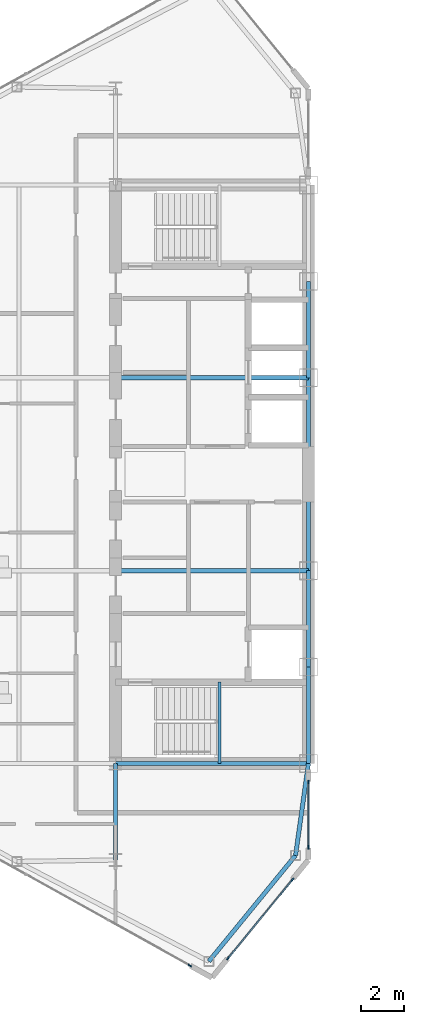
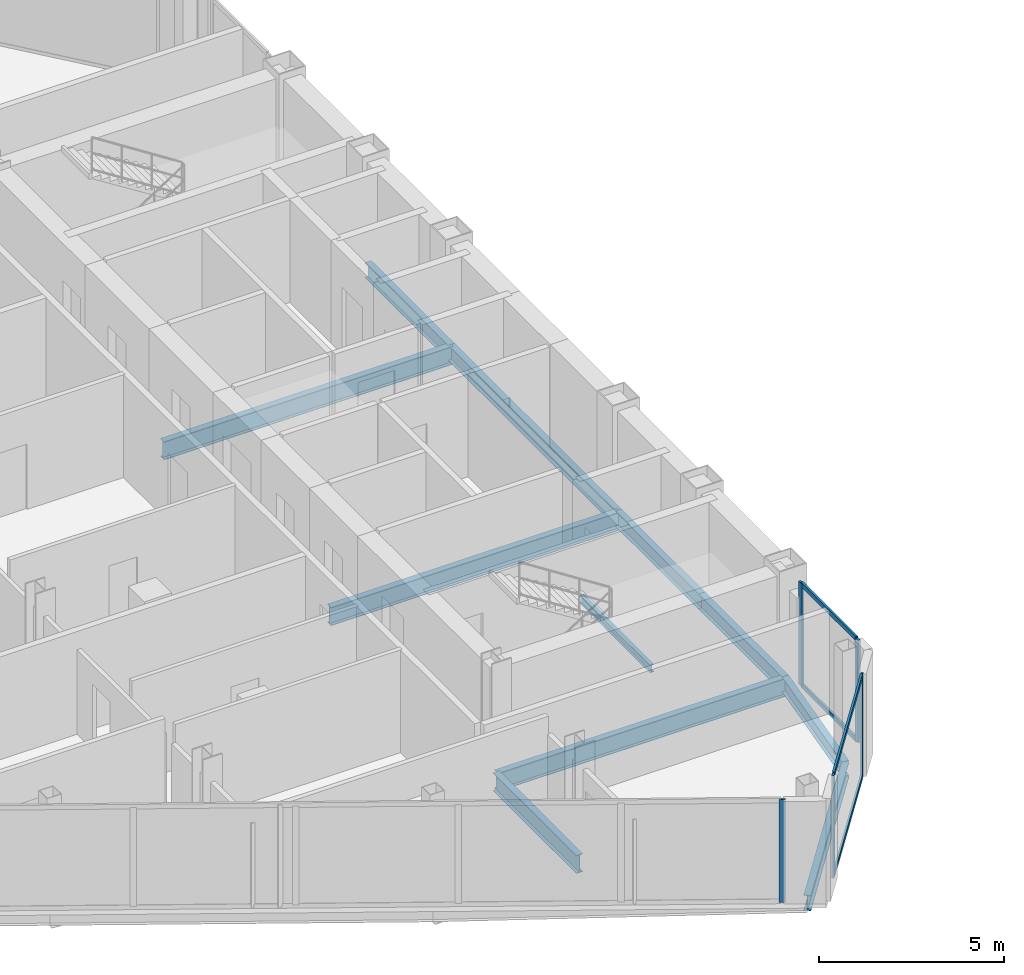
# One storey, part 7 of 26: 11 beams, 9 members, 3 elements without a shape of their own.
"""IFC4 building model written with IfcOpenShell, lengths in metres."""

from ifc_helpers import new_model, si_unit, direction, frame, origin, origin_2d, place, context, subcontext, project, spatial, rectangle, i_section, extrude, source, transform, mapped, material, layer, layer_set, material_profile, profile_set, type_object, type_shapes, element, aggregate, save


model = new_model("IFC4")

# Units and contexts
model_context = context("Model", 3, precision=1e-05, world=origin(), true_north=direction((0.0, 1.0)))
body_context = subcontext(model_context, "Body", "Model", "MODEL_VIEW")
ifc_project = project(units=[si_unit("LENGTHUNIT", "METRE"), si_unit("AREAUNIT", "SQUARE_METRE"), si_unit("VOLUMEUNIT", "CUBIC_METRE"), si_unit("PLANEANGLEUNIT", "RADIAN"), si_unit("MASSUNIT", "GRAM", prefix="KILO")], contexts=[model_context])

# Site, building, storey
site_placement = place(None, origin())
site = spatial("IfcSite", under=ifc_project, at=site_placement, CompositionType="ELEMENT")
building_placement = place(site_placement, origin())
building = spatial("IfcBuilding", under=site, at=building_placement, Name="Seokmaru Belvedere", CompositionType="ELEMENT")
storey_placement = place(building_placement, frame((0.0, 0.0, 181.5)))
storey = spatial("IfcBuildingStorey", under=building, at=storey_placement, Name="L48", CompositionType="ELEMENT", Elevation=181.5)

# Beams
ifc_material_1 = material(Name="Steel SM355 (355 MPa)", Category="steel")
ifc_material_profile_1 = material_profile(ifc_material_1, i_section(OverallWidth=0.199951171875, OverallDepth=0.5, WebThickness=0.010009765625, FlangeThickness=0.01611328125, at=origin_2d()), Name="H-500x200x10x16")
ifc_profile_set_1 = profile_set([ifc_material_profile_1], Name="Steel SM355 (355 MPa)")
beam_type_1 = type_object("IfcBeamType", Name="Perimeter Spandrel Beam H-500", PredefinedType="SPANDREL", material=ifc_profile_set_1)
shared_shape_1 = source(origin(), body_context, "Body", "SweptSolid", [
    extrude(i_section(OverallWidth=0.199951171875, OverallDepth=0.5, WebThickness=0.010009765625, FlangeThickness=0.01611328125, at=origin_2d()), origin(), (0.0, 0.0, 1.0), 4.5),
])
for number, where, z_axis, x_axis, name in (
    (1, (-27.5, -13.5, -0.469970703125), (0.0, 1.0, 0.0), (-1.0, 0.0, 0.0), "L48 W Portal Spine Spandrel 1"),
    (2, (-27.5, -9.0, -0.469970703125), (0.0, 1.0, 0.0), (-1.0, 0.0, 0.0), "L48 W Portal Spine Spandrel 2"),
    (3, (-27.5, 4.5, -0.469970703125), (0.0, 1.0, 0.0), (-1.0, 0.0, 0.0), "L48 W Portal Spine Spandrel 4"),
):
    element("IfcBeam", number, at=place(storey_placement, frame(where, z_axis=z_axis, x_axis=x_axis)), inside=storey, type_object=beam_type_1, Name=name, PredefinedType="SPANDREL", context=body_context, shape_type="MappedRepresentation", body=[
        mapped(shared_shape_1, transform((0.0, 0.0, 0.0), scale=1.0)),
    ])
shared_shape_2 = source(origin(), body_context, "Body", "SweptSolid", [
    extrude(i_section(OverallWidth=0.199951171875, OverallDepth=0.5, WebThickness=0.010009765625, FlangeThickness=0.01611328125, at=origin_2d()), origin(), (0.0, 0.0, 1.0), 9.0),
])
beam_1_placement = place(storey_placement, frame((-27.5, -4.5, -0.469970703125), z_axis=(0.0, 1.0, 0.0), x_axis=(-1.0, 0.0, 0.0)))
element("IfcBeam", 4, at=beam_1_placement, inside=storey, type_object=beam_type_1, Name="L48 W Portal Spine Spandrel 3", PredefinedType="SPANDREL", context=body_context, shape_type="MappedRepresentation", body=[
    mapped(shared_shape_2, transform((0.0, 0.0, 0.0), scale=1.0)),
])
ifc_material_profile_2 = material_profile(ifc_material_1, i_section(OverallWidth=0.199951171875, OverallDepth=0.60009765625, WebThickness=0.010986328125, FlangeThickness=0.01708984375, at=origin_2d()), Name="H-600x200x11x17")
ifc_profile_set_2 = profile_set([ifc_material_profile_2], Name="Steel SM355 (355 MPa)")
beam_type_2 = type_object("IfcBeamType", Name="Primary Floor Girder H-600", PredefinedType="BEAM", material=ifc_profile_set_2)
shared_shape_3 = source(origin(), body_context, "Body", "SweptSolid", [
    extrude(i_section(OverallWidth=0.199951171875, OverallDepth=0.60009765625, WebThickness=0.010986328125, FlangeThickness=0.01708984375, at=origin_2d()), origin(), (0.0, 0.0, 1.0), 9.0),
])
for number, where, z_axis, x_axis, name in (
    (5, (-36.5, -13.5, -0.52001953125), (1.0, 0.0, 0.0), (0.0, 1.0, 0.0), "L48 W Core Tie Girder 1"),
    (6, (-36.5, -4.5, -0.52001953125), (1.0, 0.0, 0.0), (0.0, 1.0, 0.0), "L48 W Core Tie Girder 2"),
    (7, (-36.5, 4.5, -0.52001953125), (1.0, 0.0, 0.0), (0.0, 1.0, 0.0), "L48 W Core Tie Girder 3"),
):
    element("IfcBeam", number, at=place(storey_placement, frame(where, z_axis=z_axis, x_axis=x_axis)), inside=storey, type_object=beam_type_2, Name=name, PredefinedType="BEAM", context=body_context, shape_type="MappedRepresentation", body=[
        mapped(shared_shape_3, transform((0.0, 0.0, 0.0), scale=1.0)),
    ])
shared_shape_4 = source(origin(), body_context, "Body", "SweptSolid", [
    extrude(i_section(OverallWidth=0.199951171875, OverallDepth=0.60009765625, WebThickness=0.010986328125, FlangeThickness=0.01708984375, at=origin_2d()), origin(), (0.0, 0.0, 1.0), 4.5),
])
type_shapes(beam_type_2, [shared_shape_3, shared_shape_4])
beam_2_placement = place(storey_placement, frame((-36.5, -18.0, -0.52001953125), z_axis=(0.0, 1.0, 0.0), x_axis=(-1.0, 0.0, 0.0)))
element("IfcBeam", 8, at=beam_2_placement, inside=storey, type_object=beam_type_2, Name="L48 W Core Shoulder Girder S", PredefinedType="BEAM", context=body_context, shape_type="MappedRepresentation", body=[
    mapped(shared_shape_4, transform((0.0, 0.0, 0.0), scale=1.0)),
])
shared_shape_5 = source(origin(), body_context, "Body", "SweptSolid", [
    extrude(i_section(OverallWidth=0.199951171875, OverallDepth=0.5, WebThickness=0.010009765625, FlangeThickness=0.01611328125, at=origin_2d()), origin(), (0.0, 0.0, 1.0), 6.390380859375),
])
beam_3_placement = place(storey_placement, frame((-32.146728515625, -22.731689453125, -0.469970703125), z_axis=(0.63324403161, 0.7739521926, 0.0), x_axis=(-0.7739521926, 0.63324403161, 0.0)))
element("IfcBeam", 9, at=beam_3_placement, inside=storey, type_object=beam_type_1, Name="L48 W Shoulder Chamfer Spandrel S", PredefinedType="SPANDREL", context=body_context, shape_type="MappedRepresentation", body=[
    mapped(shared_shape_5, transform((0.0, 0.0, 0.0), scale=1.0)),
])
shared_shape_6 = source(origin(), body_context, "Body", "SweptSolid", [
    extrude(i_section(OverallWidth=0.199951171875, OverallDepth=0.5, WebThickness=0.010009765625, FlangeThickness=0.01611328125, at=origin_2d()), origin(), (0.0, 0.0, 1.0), 4.32763671875),
])
type_shapes(beam_type_1, [shared_shape_1, shared_shape_2, shared_shape_5, shared_shape_6])
beam_4_placement = place(storey_placement, frame((-28.10009765625, -17.785888671875, -0.469970703125), z_axis=(0.138664443237, 0.990339422714, 0.0), x_axis=(-0.990339422714, 0.138664443237, 0.0)))
element("IfcBeam", 10, at=beam_4_placement, inside=storey, type_object=beam_type_1, Name="L48 W Shoulder Spine Spandrel S", PredefinedType="SPANDREL", context=body_context, shape_type="MappedRepresentation", body=[
    mapped(shared_shape_6, transform((0.0, 0.0, 0.0), scale=1.0)),
])

# Curtain wall, members
ifc_material_2 = material(Name="Bronze Triple Insulating Glass", Category="glass")
ifc_layer = layer(ifc_material_2, 0.179931640625)
ifc_layer_set = layer_set([ifc_layer], Name="Bronze Triple Insulating Glass")
curtain_wall_type = type_object("IfcCurtainWallType", Name="High-Rise Wind-Corner Curtain Wall System CW-5", PredefinedType="NOTDEFINED", material=ifc_layer_set)
curtain_wall_1_placement = place(storey_placement, origin())
curtain_wall_1 = element("IfcCurtainWall", 11, at=curtain_wall_1_placement, inside=storey, type_object=curtain_wall_type, Name="L48 Curtain Wall WSP_1", PredefinedType="NOTDEFINED")
ifc_material_3 = material(Name="Anodised Bronze Aluminium", Category="aluminium")
ifc_material_profile_3 = material_profile(ifc_material_3, rectangle(XDim=0.06494140625, YDim=0.14990234375, at=origin_2d()), Name="CW-T-65x150")
ifc_profile_set_3 = profile_set([ifc_material_profile_3], Name="Anodised Bronze Aluminium")
member_type_1 = type_object("IfcMemberType", Name="Bronze Unitised Transom 65x150", PredefinedType="USERDEFINED", material=ifc_profile_set_3)
shared_shape_7 = source(origin(), body_context, "Body", "SweptSolid", [
    extrude(rectangle(XDim=0.06494140625, YDim=0.14990234375, at=origin_2d()), origin(), (0.0, 0.0, 1.0), 2.969970703125),
])
member_1_placement = place(storey_placement, frame((-27.5, -17.364990234375, 0.032470703125), z_axis=(0.0, 1.0, 0.0), x_axis=(-1.0, 0.0, 0.0)))
member_1 = element("IfcMember", 12, at=member_1_placement, type_object=member_type_1, Name="CW:L48:WSP_1 Continuous Transom 1", ObjectType="TRANSOM", PredefinedType="USERDEFINED", context=body_context, shape_type="MappedRepresentation", body=[
    mapped(shared_shape_7, transform((0.0, 0.0, 0.0), scale=1.0)),
])
member_2_placement = place(storey_placement, frame((-27.5, -17.364990234375, 3.347412109375), z_axis=(0.0, 1.0, 0.0), x_axis=(-1.0, 0.0, 0.0)))
member_2 = element("IfcMember", 13, at=member_2_placement, type_object=member_type_1, Name="CW:L48:WSP_1 Continuous Transom 2", ObjectType="TRANSOM", PredefinedType="USERDEFINED", context=body_context, shape_type="MappedRepresentation", body=[
    mapped(shared_shape_7, transform((0.0, 0.0, 0.0), scale=1.0)),
])

curtain_wall_2_placement = place(storey_placement, origin())
curtain_wall_2 = element("IfcCurtainWall", 14, at=curtain_wall_2_placement, inside=storey, type_object=curtain_wall_type, Name="L48 Curtain Wall WF6", PredefinedType="NOTDEFINED")
shared_shape_8 = source(origin(), body_context, "Body", "SweptSolid", [
    extrude(rectangle(XDim=0.06494140625, YDim=0.14990234375, at=origin_2d()), origin(), (0.0, 0.0, 1.0), 4.67626953125),
])
type_shapes(member_type_1, [shared_shape_7, shared_shape_8])
member_3_placement = place(storey_placement, frame((-31.230712890625, -22.5595703125, 0.032470703125), z_axis=(0.633277591216, 0.773924733074, 0.0), x_axis=(-0.773924733074, 0.633277591216, 0.0)))
member_3 = element("IfcMember", 15, at=member_3_placement, type_object=member_type_1, Name="CW:L48:WF6 Continuous Transom 1", ObjectType="TRANSOM", PredefinedType="USERDEFINED", context=body_context, shape_type="MappedRepresentation", body=[
    mapped(shared_shape_8, transform((0.0, 0.0, 0.0), scale=1.0)),
])
member_4_placement = place(storey_placement, frame((-31.230712890625, -22.5595703125, 3.347412109375), z_axis=(0.633277591216, 0.773924733074, 0.0), x_axis=(-0.773924733074, 0.633277591216, 0.0)))
member_4 = element("IfcMember", 16, at=member_4_placement, type_object=member_type_1, Name="CW:L48:WF6 Continuous Transom 2", ObjectType="TRANSOM", PredefinedType="USERDEFINED", context=body_context, shape_type="MappedRepresentation", body=[
    mapped(shared_shape_8, transform((0.0, 0.0, 0.0), scale=1.0)),
])

# Member
ifc_material_profile_4 = material_profile(ifc_material_3, rectangle(XDim=0.06494140625, YDim=0.179931640625, at=origin_2d()), Name="CW-M-65x180")
ifc_profile_set_4 = profile_set([ifc_material_profile_4], Name="Anodised Bronze Aluminium")
member_type_2 = type_object("IfcMemberType", Name="Bronze Unitised Mullion 65x180", PredefinedType="MULLION", material=ifc_profile_set_4)
shared_shape_9 = source(origin(), body_context, "Body", "SweptSolid", [
    extrude(rectangle(XDim=0.06494140625, YDim=0.179931640625, at=origin_2d()), origin(), (0.0, 0.0, 1.0), 3.3798828125),
])
type_shapes(member_type_2, [shared_shape_9])
member_5_placement = place(storey_placement, frame((-27.5, -17.3974609375, 0.0), z_axis=(0.0, 0.0, 1.0), x_axis=(-1.0, 0.0, 0.0)))
member_5 = element("IfcMember", 17, at=member_5_placement, type_object=member_type_2, Name="CW:L48:WSP_1 Mullion 1", PredefinedType="MULLION", context=body_context, shape_type="MappedRepresentation", body=[
    mapped(shared_shape_9, transform((0.0, 0.0, 0.0), scale=1.0)),
])

member_6_placement = place(storey_placement, frame((-27.5, -14.362548828125, 0.0), z_axis=(0.0, 0.0, 1.0), x_axis=(-1.0, 0.0, 0.0)))
member_6 = element("IfcMember", 18, at=member_6_placement, type_object=member_type_2, Name="CW:L48:WSP_1 Mullion 2", PredefinedType="MULLION", context=body_context, shape_type="MappedRepresentation", body=[
    mapped(shared_shape_9, transform((0.0, 0.0, 0.0), scale=1.0)),
])

aggregate(curtain_wall_1, [member_5, member_6, member_1, member_2])

# Curtain wall, member
curtain_wall_3_placement = place(storey_placement, origin())
curtain_wall_3 = element("IfcCurtainWall", 19, at=curtain_wall_3_placement, inside=storey, type_object=curtain_wall_type, Name="L48 Curtain Wall WF5", PredefinedType="NOTDEFINED")
member_7_placement = place(storey_placement, frame((-33.033447265625, -22.92529296875, 0.0), z_axis=(0.0, 0.0, 1.0), x_axis=(0.486047125147, 0.873932601598, 0.0)))
member_7 = element("IfcMember", 20, at=member_7_placement, type_object=member_type_2, Name="CW:L48:WF5 Mullion 10", PredefinedType="MULLION", context=body_context, shape_type="MappedRepresentation", body=[
    mapped(shared_shape_9, transform((0.0, 0.0, 0.0), scale=1.0)),
])
aggregate(curtain_wall_3, [member_7])

# Member
member_8_placement = place(storey_placement, frame((-31.251220703125, -22.584716796875, 0.0), z_axis=(0.0, 0.0, 1.0), x_axis=(-0.773944112379, 0.633253907144, 0.0)))
member_8 = element("IfcMember", 21, at=member_8_placement, type_object=member_type_2, Name="CW:L48:WF6 Mullion 1", PredefinedType="MULLION", context=body_context, shape_type="MappedRepresentation", body=[
    mapped(shared_shape_9, transform((0.0, 0.0, 0.0), scale=1.0)),
])

member_9_placement = place(storey_placement, frame((-28.248779296875, -18.915283203125, 0.0), z_axis=(0.0, 0.0, 1.0), x_axis=(-0.773944112379, 0.633253907144, 0.0)))
member_9 = element("IfcMember", 22, at=member_9_placement, type_object=member_type_2, Name="CW:L48:WF6 Mullion 2", PredefinedType="MULLION", context=body_context, shape_type="MappedRepresentation", body=[
    mapped(shared_shape_9, transform((0.0, 0.0, 0.0), scale=1.0)),
])

aggregate(curtain_wall_2, [member_8, member_9, member_3, member_4])

# Beam
ifc_material_profile_5 = material_profile(ifc_material_1, i_section(OverallWidth=0.125, OverallDepth=0.25, WebThickness=0.006103515625, FlangeThickness=0.009033203125, at=origin_2d()), Name="H-250x125x6x9")
ifc_profile_set_5 = profile_set([ifc_material_profile_5], Name="Steel SM355 (355 MPa)")
beam_type_3 = type_object("IfcBeamType", Name="Stair Mid-Landing Support Beam H-250", PredefinedType="JOIST", material=ifc_profile_set_5)
shared_shape_10 = source(origin(), body_context, "Body", "SweptSolid", [
    extrude(i_section(OverallWidth=0.125, OverallDepth=0.25, WebThickness=0.006103515625, FlangeThickness=0.009033203125, at=origin_2d()), origin(), (0.0, 0.0, 1.0), 3.800048828125),
])
type_shapes(beam_type_3, [shared_shape_10])
beam_5_placement = place(storey_placement, frame((-31.64990234375, -13.5, 1.47509765625), z_axis=(0.0, 1.0, 0.0), x_axis=(-1.0, 0.0, 0.0)))
element("IfcBeam", 23, at=beam_5_placement, inside=storey, type_object=beam_type_3, Name="L48 Stair ST-W1 Mid-Landing Support Beam 1", PredefinedType="JOIST", context=body_context, shape_type="MappedRepresentation", body=[
    mapped(shared_shape_10, transform((0.0, 0.0, 0.0), scale=1.0)),
])

save(model, "model.ifc")
